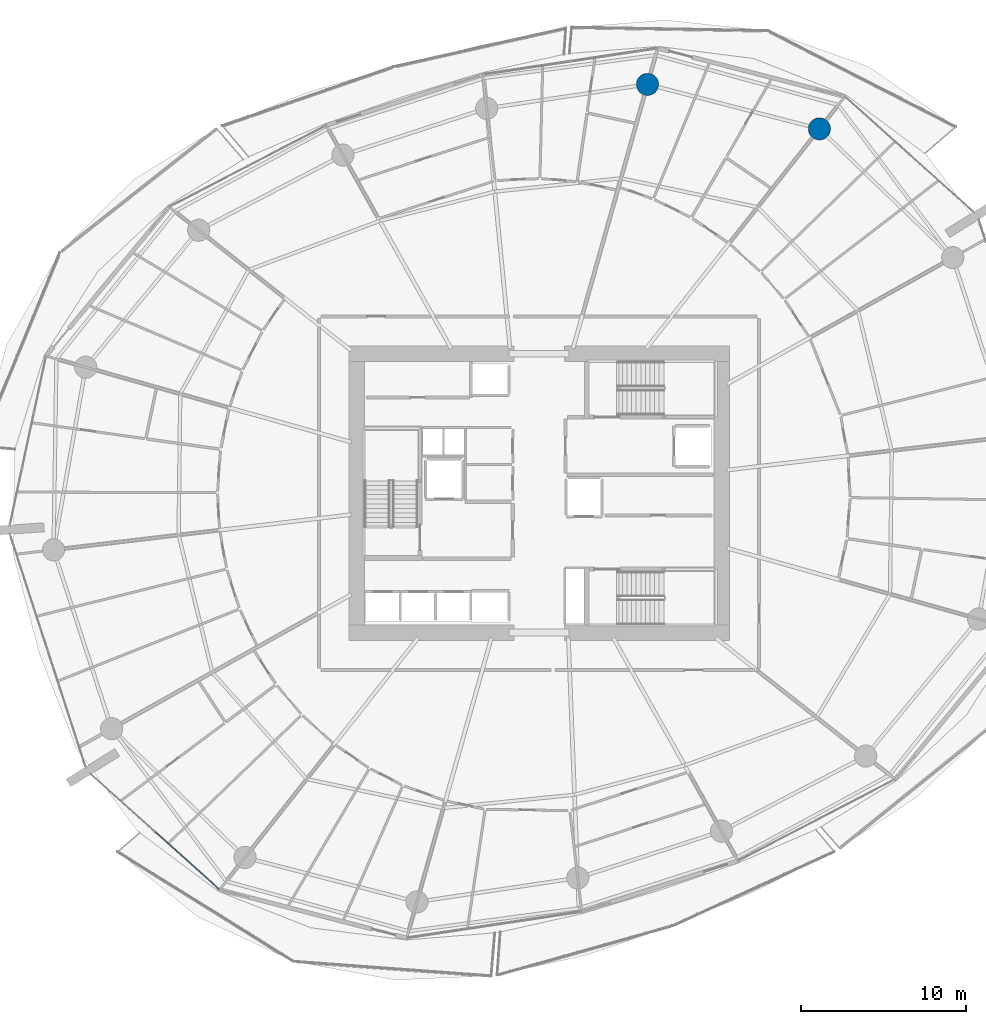
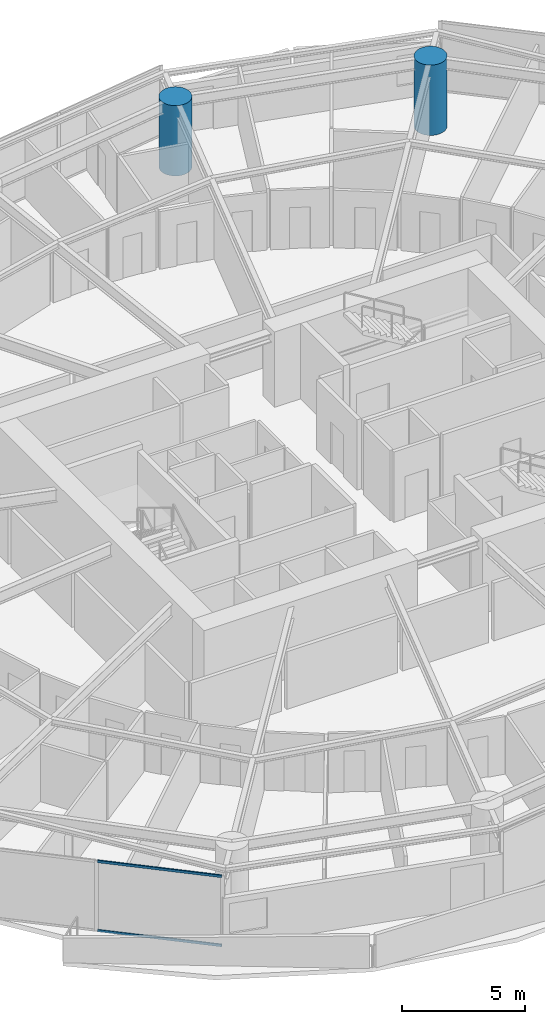
# One storey, part 6 of 31: 2 columns, 2 members, 1 element without a shape of its own.
"""IFC4 building model written with IfcOpenShell, lengths in metres."""

import ifcopenshell
import ifcopenshell.guid

model = None  # the IFC model being written
_history = None  # IfcOwnerHistory: only IFC2X3 demands one
_inside = {}  # id of a spatial element -> (the spatial element, [elements in it])
_under = {}  # id of a project, library or spatial element -> (it, [spatial elements below it])
_declared = {}  # id of a project -> (the project, [libraries it declares])
_typed = {}  # id of a type object -> (the type object, [elements of that type])
_made_of = {}  # id of a material, layer set ... -> (it, [elements and type objects made of it])


def new_model(schema):
    """Start an empty IFC model of exactly this schema.

    Asked for "IFC4X3", IfcOpenShell would pick the latest addendum, in which some entities
    have other attributes; the version numbers below select the first issue.
    IFC2X3 requires an IfcOwnerHistory on every rooted entity: one is made here for all.
    """
    global model, _history
    if schema == "IFC4X3":
        model = ifcopenshell.file(schema_version=(4, 3, 0, 0))
    else:
        model = ifcopenshell.file(schema=schema)
    _inside.clear()
    _under.clear()
    _declared.clear()
    _typed.clear()
    _made_of.clear()
    _history = None
    if model.schema == "IFC2X3":
        org = make("IfcOrganization", Name="unknown")
        user = make(
            "IfcPersonAndOrganization",
            ThePerson=make("IfcPerson", FamilyName="unknown"),
            TheOrganization=org,
        )
        app = make(
            "IfcApplication",
            ApplicationDeveloper=org,
            Version="unknown",
            ApplicationFullName="unknown",
            ApplicationIdentifier="unknown",
        )
        _history = make(
            "IfcOwnerHistory",
            OwningUser=user,
            OwningApplication=app,
            ChangeAction="ADDED",
            CreationDate=0,
        )
    return model


def make(cls, **values):
    """One entity of the class cls with the attributes given. An attribute that is None is left unset."""
    return model.create_entity(
        cls, **{name: value for name, value in values.items() if value is not None}
    )


def rooted(cls, **values):
    """An entity with a GlobalId (a new one), such as an element, a storey or a relation."""
    return make(cls, GlobalId=ifcopenshell.guid.new(), OwnerHistory=_history, **values)


def si_unit(unit_type, name, prefix=None):
    """IfcSIUnit, for example si_unit("LENGTHUNIT", "METRE", prefix="MILLI")."""
    return make("IfcSIUnit", UnitType=unit_type, Prefix=prefix, Name=name)


def assignment(units):
    """IfcUnitAssignment: the units of a project."""
    return None if units is None else make("IfcUnitAssignment", Units=units)


def point(xyz):
    """IfcCartesianPoint."""
    return None if xyz is None else make("IfcCartesianPoint", Coordinates=xyz)


def direction(xyz):
    """IfcDirection."""
    return None if xyz is None else make("IfcDirection", DirectionRatios=xyz)


def frame(location, z_axis=None, x_axis=None):
    """IfcAxis2Placement3D, a coordinate frame: its origin and axes. An axis left out is left unset."""
    return make(
        "IfcAxis2Placement3D",
        Location=point(location),
        Axis=direction(z_axis),
        RefDirection=direction(x_axis),
    )


def frame_2d(location, x_axis=None):
    """IfcAxis2Placement2D, a coordinate frame in the plane: its origin and x axis."""
    return make(
        "IfcAxis2Placement2D", Location=point(location), RefDirection=direction(x_axis)
    )


def origin():
    """The frame at (0, 0, 0) with its axes left unset."""
    return frame((0.0, 0.0, 0.0))


def origin_2d():
    """The frame at (0, 0) in the plane with its x axis left unset."""
    return frame_2d((0.0, 0.0))


def place(relative_to, where):
    """IfcLocalPlacement: puts the frame where relative to a parent placement (None: the world)."""
    return make(
        "IfcLocalPlacement", PlacementRelTo=relative_to, RelativePlacement=where
    )


def context(
    kind, dimensions, precision=None, world=None, true_north=None, identifier=None
):
    """IfcGeometricRepresentationContext, for example the 3D "Model" context."""
    return make(
        "IfcGeometricRepresentationContext",
        ContextIdentifier=identifier,
        ContextType=kind,
        CoordinateSpaceDimension=dimensions,
        Precision=precision,
        WorldCoordinateSystem=world,
        TrueNorth=true_north,
    )


def subcontext(parent, identifier, kind, view, scale=None):
    """IfcGeometricRepresentationSubContext, for example "Body" below "Model"."""
    return make(
        "IfcGeometricRepresentationSubContext",
        ContextIdentifier=identifier,
        ContextType=kind,
        ParentContext=parent,
        TargetScale=scale,
        TargetView=view,
    )


def project(units=None, contexts=None):
    """IfcProject with its units and contexts."""
    return rooted(
        "IfcProject",
        Name="project",
        RepresentationContexts=contexts,
        UnitsInContext=assignment(units),
    )


def spatial(cls, under=None, at=None, **own):
    """A site, building, storey or space (cls), placed at a placement, below another one or the project."""
    s = rooted(cls, ObjectPlacement=at, **own)
    if under is not None:
        _under.setdefault(under.id(), (under, []))[1].append(s)
    return s


def profile(cls, at=None, kind="AREA", **sizes):
    """A parametric profile (cls). Its sizes go by their IFC names, for example OverallWidth=200.0."""
    return make(cls, ProfileType=kind, Position=at, **sizes)


def rectangle(**sizes):
    """IfcRectangleProfileDef."""
    return profile("IfcRectangleProfileDef", **sizes)


def circle(**sizes):
    """IfcCircleProfileDef."""
    return profile("IfcCircleProfileDef", **sizes)


def extrude(swept, where, along, depth):
    """IfcExtrudedAreaSolid: the profile swept, set in the frame where, extruded along a direction by depth."""
    return make(
        "IfcExtrudedAreaSolid",
        SweptArea=swept,
        Position=where,
        ExtrudedDirection=direction(along),
        Depth=depth,
    )


def shape(context_of_items, identifier, shape_type, items):
    """IfcShapeRepresentation: the items that make up one representation, for example the "Body"."""
    return make(
        "IfcShapeRepresentation",
        ContextOfItems=context_of_items,
        RepresentationIdentifier=identifier,
        RepresentationType=shape_type,
        Items=items,
    )


def material(Name=None, Category=None):
    """IfcMaterial."""
    return make("IfcMaterial", Name=Name, Category=Category)


def layer(
    of_material, thickness, ventilated=None, Name=None, Category=None, Priority=None
):
    """IfcMaterialLayer: one layer of a wall or slab, of a material (None: an air gap)."""
    return make(
        "IfcMaterialLayer",
        Material=of_material,
        LayerThickness=thickness,
        IsVentilated=ventilated,
        Name=Name,
        Category=Category,
        Priority=Priority,
    )


def layer_set(layers, Name=None):
    """IfcMaterialLayerSet."""
    return make("IfcMaterialLayerSet", MaterialLayers=layers, LayerSetName=Name)


def material_profile(
    of_material, cross_section, Name=None, Category=None, Priority=None
):
    """IfcMaterialProfile: a cross section and its material."""
    return make(
        "IfcMaterialProfile",
        Name=Name,
        Material=of_material,
        Profile=cross_section,
        Priority=Priority,
        Category=Category,
    )


def profile_set(profiles, Name=None, composite=None):
    """IfcMaterialProfileSet."""
    return make(
        "IfcMaterialProfileSet",
        Name=Name,
        MaterialProfiles=profiles,
        CompositeProfile=composite,
    )


def made_of(thing, what):
    """Note that an element or type object is made of a material, layer set ...; save() writes the relation."""
    if what is not None:
        _made_of.setdefault(what.id(), (what, []))[1].append(thing)
    return thing


def type_object(cls, material=None, **own):
    """A type object (cls), such as IfcWallType, which elements share."""
    return made_of(rooted(cls, **own), material)


def element(
    cls,
    number,
    at=None,
    inside=None,
    cuts=None,
    type_object=None,
    material=None,
    context=None,
    identifier="Body",
    shape_type=None,
    held_by="IfcProductDefinitionShape",
    body=None,
    shapes=None,
    **own,
):
    """One element of the class cls, such as IfcWall. Its Tag is "e" and its number.

    at: its placement. inside: the storey or other place that contains it. cuts: it is an
    opening in that element (IfcRelVoidsElement). A single representation is given by context,
    identifier, shape_type and body (its items); several are given by shapes. held_by: the class
    of the entity that holds the representations. save() writes the other relations.
    """
    e = rooted(cls, Tag="e%d" % number, ObjectPlacement=at, **own)
    if body is not None:
        shapes = [shape(context, identifier, shape_type, body)]
    if shapes is not None:
        e.Representation = make(held_by, Representations=shapes)
    if inside is not None:
        _inside.setdefault(inside.id(), (inside, []))[1].append(e)
    if cuts is not None:
        rooted(
            "IfcRelVoidsElement", RelatingBuildingElement=cuts, RelatedOpeningElement=e
        )
    if type_object is not None:
        _typed.setdefault(type_object.id(), (type_object, []))[1].append(e)
    return made_of(e, material)


def aggregate(whole, parts):
    """IfcRelAggregates: a whole, such as a stair, and the parts it consists of."""
    return rooted("IfcRelAggregates", RelatingObject=whole, RelatedObjects=parts)


def save(model, path):
    """Write the relations noted so far, then the file.

    IfcRelAggregates (storeys below a building ...), IfcRelContainedInSpatialStructure (elements
    in a storey), IfcRelDefinesByType, IfcRelAssociatesMaterial and IfcRelDeclares: one each for
    every whole, place, type object, material and project.
    """
    for whole, parts in _under.values():
        aggregate(whole, parts)
    for where, things in _inside.values():
        rooted(
            "IfcRelContainedInSpatialStructure",
            RelatedElements=things,
            RelatingStructure=where,
        )
    for kind, things in _typed.values():
        rooted("IfcRelDefinesByType", RelatedObjects=things, RelatingType=kind)
    for what, things in _made_of.values():
        rooted("IfcRelAssociatesMaterial", RelatedObjects=things, RelatingMaterial=what)
    for by, libraries in _declared.values():
        rooted("IfcRelDeclares", RelatingContext=by, RelatedDefinitions=libraries)
    model.write(path)


model = new_model("IFC4")

# Units and contexts
model_context = context("Model", 3, precision=1e-05, world=origin(), true_north=direction((0.0, 1.0)))
body_context = subcontext(model_context, "Body", "Model", "MODEL_VIEW")
ifc_project = project(units=[si_unit("LENGTHUNIT", "METRE"), si_unit("AREAUNIT", "SQUARE_METRE"), si_unit("VOLUMEUNIT", "CUBIC_METRE"), si_unit("PLANEANGLEUNIT", "RADIAN"), si_unit("MASSUNIT", "GRAM", prefix="KILO")], contexts=[model_context])

# Site, building, storey
site_placement = place(None, origin())
site = spatial("IfcSite", under=ifc_project, at=site_placement, CompositionType="ELEMENT")
building_placement = place(site_placement, origin())
building = spatial("IfcBuilding", under=site, at=building_placement, Name="Kazma Halo Residences", CompositionType="ELEMENT")
storey_placement = place(building_placement, frame((0.0, 0.0, 48.89990234375)))
storey = spatial("IfcBuildingStorey", under=building, at=storey_placement, Name="L11", CompositionType="ELEMENT", Elevation=48.89990234375)

# Columns
ifc_material_1 = material(Name="Concrete C80/95", Category="concrete")
ifc_material_profile_1 = material_profile(ifc_material_1, circle(Radius=0.675048828125, at=origin_2d()), Name="CIRC1350")
ifc_profile_set_1 = profile_set([ifc_material_profile_1], Name="Concrete C80/95")
column_type = type_object("IfcColumnType", Name="COL-PERIM-1350", PredefinedType="COLUMN", material=ifc_profile_set_1)
for number, where, z_axis, x_axis, name in (
    (1, (65.458251953125, 64.145751953125, 0.0), (0.0, 0.0, 1.0), (1.0, 0.0, 0.0), "L11 perimeter ring column P02"),
    (2, (55.00830078125, 66.849365234375, 0.0), (0.0, 0.0, 1.0), (1.0, 0.0, 0.0), "L11 perimeter ring column P03"),
):
    element("IfcColumn", number, at=place(storey_placement, frame(where, z_axis=z_axis, x_axis=x_axis)), inside=storey, type_object=column_type, Name=name, PredefinedType="COLUMN", context=body_context, shape_type="SweptSolid", body=[
        extrude(circle(Radius=0.675048828125, at=origin_2d()), origin(), (0.0, 0.0, 1.0), 3.5),
    ])

# Curtain wall, members
ifc_material_2 = material(Name="Aluminium AW-6063 T6 and Triple-Silver Low-E Glass", Category="aluminium")
ifc_layer = layer(ifc_material_2, 0.159912109375)
ifc_layer_set = layer_set([ifc_layer], Name="Aluminium AW-6063 T6 and Triple-Silver Low-E Glass")
curtain_wall_type = type_object("IfcCurtainWallType", Name="CW-SYS-2", PredefinedType="NOTDEFINED", material=ifc_layer_set)
curtain_wall_placement = place(storey_placement, origin())
curtain_wall = element("IfcCurtainWall", 3, at=curtain_wall_placement, inside=storey, type_object=curtain_wall_type, Name="L11 unitised curtain wall B09", PredefinedType="NOTDEFINED")
ifc_material_3 = material(Name="Aluminium AW-6063 T6", Category="aluminium")
ifc_material_profile_2 = material_profile(ifc_material_3, rectangle(XDim=0.06005859375, YDim=0.1201171875, at=origin_2d()), Name="CWT-60x120")
ifc_profile_set_2 = profile_set([ifc_material_profile_2], Name="Aluminium AW-6063 T6")
member_type = type_object("IfcMemberType", Name="CW-SYS-2-TRN", PredefinedType="USERDEFINED", material=ifc_profile_set_2)
member_1_placement = place(storey_placement, frame((25.094970703125, 21.3896484375, 0.030029296875), z_axis=(0.744329408538, -0.66781264707, 0.0), x_axis=(0.66781264707, 0.744329408538, 0.0)))
member_1 = element("IfcMember", 4, at=member_1_placement, type_object=member_type, Name="CWS-2 transom 2.1", ObjectType="TRANSOM", PredefinedType="USERDEFINED", context=body_context, shape_type="SweptSolid", body=[
    extrude(rectangle(XDim=0.06005859375, YDim=0.1201171875, at=origin_2d()), origin(), (0.0, 0.0, 1.0), 5.178466796875),
])
member_2_placement = place(storey_placement, frame((25.094970703125, 21.3896484375, 3.47021484375), z_axis=(0.744329408538, -0.66781264707, 0.0), x_axis=(0.66781264707, 0.744329408538, 0.0)))
member_2 = element("IfcMember", 5, at=member_2_placement, type_object=member_type, Name="CWS-2 transom 2.2", ObjectType="TRANSOM", PredefinedType="USERDEFINED", context=body_context, shape_type="SweptSolid", body=[
    extrude(rectangle(XDim=0.06005859375, YDim=0.1201171875, at=origin_2d()), origin(), (0.0, 0.0, 1.0), 5.178466796875),
])
aggregate(curtain_wall, [member_1, member_2])

save(model, "model.ifc")
